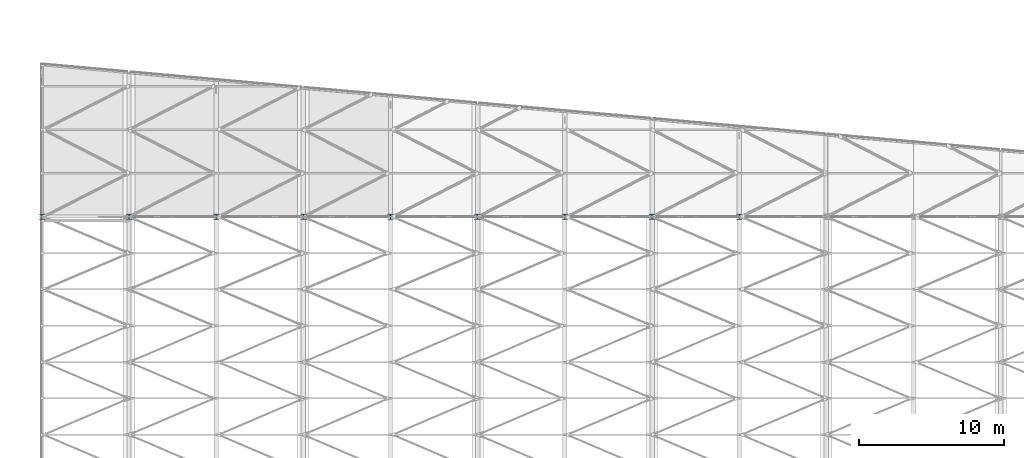
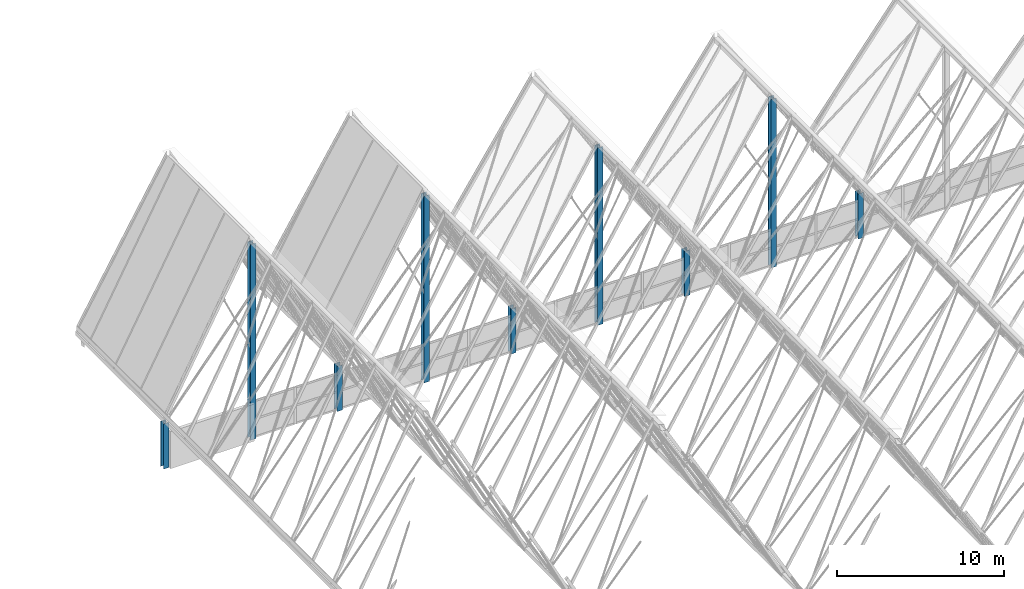
# One storey, part 3 of 483: 9 columns.
"""IFC4 building model written with IfcOpenShell, lengths in metres."""

from ifc_helpers import new_model, si_unit, direction, frame, origin, origin_2d, place, context, subcontext, project, spatial, i_section, extrude, material, material_profile, profile_set, type_object, element, save


model = new_model("IFC4")

# Units and contexts
model_context = context("Model", 3, precision=1e-05, world=origin(), true_north=direction((0.0, 1.0)))
body_context = subcontext(model_context, "Body", "Model", "MODEL_VIEW")
ifc_project = project(units=[si_unit("LENGTHUNIT", "METRE"), si_unit("AREAUNIT", "SQUARE_METRE"), si_unit("VOLUMEUNIT", "CUBIC_METRE"), si_unit("PLANEANGLEUNIT", "RADIAN"), si_unit("MASSUNIT", "GRAM", prefix="KILO")], contexts=[model_context])

# Site, building, storey
site_placement = place(None, origin())
site = spatial("IfcSite", under=ifc_project, at=site_placement, CompositionType="ELEMENT")
building_placement = place(site_placement, origin())
building = spatial("IfcBuilding", under=site, at=building_placement, Name="Parallax Yard Mobility Hub", CompositionType="ELEMENT")
storey_placement = place(building_placement, frame((0.0, 0.0, 13.199951171875)))
storey = spatial("IfcBuildingStorey", under=building, at=storey_placement, Name="L04", CompositionType="ELEMENT", Elevation=13.199951171875)

# Columns
ifc_material = material(Name="Steel ASTM A992", Category="steel")
ifc_material_profile = material_profile(ifc_material, i_section(OverallWidth=0.373046875, OverallDepth=0.367919921875, WebThickness=0.014892578125, FlangeThickness=0.02392578125, FilletRadius=0.01513671875, at=origin_2d()), Name="W360x179")
ifc_profile_set = profile_set([ifc_material_profile], Name="Steel ASTM A992")
column_type = type_object("IfcColumnType", Name="W360x179 column", PredefinedType="COLUMN", material=ifc_profile_set)
column_1_placement = place(storey_placement, frame((9.0, 52.5, 0.0), z_axis=(0.0, 0.0, 1.0), x_axis=(1.0, 0.0, 0.0)))
element("IfcColumn", 1, at=column_1_placement, inside=storey, type_object=column_type, Name="Valley column F1 north level L04", PredefinedType="COLUMN", context=body_context, shape_type="SweptSolid", body=[
    extrude(i_section(OverallWidth=0.373046875, OverallDepth=0.367919921875, WebThickness=0.014892578125, FlangeThickness=0.02392578125, FilletRadius=0.01513671875, at=origin_2d()), origin(), (0.0, 0.0, 1.0), 3.300048828125),
])
column_2_placement = place(storey_placement, frame((15.0, 52.5, 0.0), z_axis=(0.0, 0.0, 1.0), x_axis=(1.0, 0.0, 0.0)))
element("IfcColumn", 2, at=column_2_placement, inside=storey, type_object=column_type, Name="Ridge column F2 north level L04", PredefinedType="COLUMN", context=body_context, shape_type="SweptSolid", body=[
    extrude(i_section(OverallWidth=0.373046875, OverallDepth=0.367919921875, WebThickness=0.014892578125, FlangeThickness=0.02392578125, FilletRadius=0.01513671875, at=origin_2d()), origin(), (0.0, 0.0, 1.0), 14.300048828125),
])
column_3_placement = place(storey_placement, frame((21.0, 52.5, 0.0), z_axis=(0.0, 0.0, 1.0), x_axis=(1.0, 0.0, 0.0)))
element("IfcColumn", 3, at=column_3_placement, inside=storey, type_object=column_type, Name="Valley column F3 north level L04", PredefinedType="COLUMN", context=body_context, shape_type="SweptSolid", body=[
    extrude(i_section(OverallWidth=0.373046875, OverallDepth=0.367919921875, WebThickness=0.014892578125, FlangeThickness=0.02392578125, FilletRadius=0.01513671875, at=origin_2d()), origin(), (0.0, 0.0, 1.0), 3.300048828125),
])
column_4_placement = place(storey_placement, frame((27.0, 52.5, 0.0), z_axis=(0.0, 0.0, 1.0), x_axis=(1.0, 0.0, 0.0)))
element("IfcColumn", 4, at=column_4_placement, inside=storey, type_object=column_type, Name="Ridge column F4 north level L04", PredefinedType="COLUMN", context=body_context, shape_type="SweptSolid", body=[
    extrude(i_section(OverallWidth=0.373046875, OverallDepth=0.367919921875, WebThickness=0.014892578125, FlangeThickness=0.02392578125, FilletRadius=0.01513671875, at=origin_2d()), origin(), (0.0, 0.0, 1.0), 13.633056640625),
])
column_5_placement = place(storey_placement, frame((33.0, 52.5, 0.0), z_axis=(0.0, 0.0, 1.0), x_axis=(1.0, 0.0, 0.0)))
element("IfcColumn", 5, at=column_5_placement, inside=storey, type_object=column_type, Name="Valley column F5 north level L04", PredefinedType="COLUMN", context=body_context, shape_type="SweptSolid", body=[
    extrude(i_section(OverallWidth=0.373046875, OverallDepth=0.367919921875, WebThickness=0.014892578125, FlangeThickness=0.02392578125, FilletRadius=0.01513671875, at=origin_2d()), origin(), (0.0, 0.0, 1.0), 3.300048828125),
])
column_6_placement = place(storey_placement, frame((39.0, 52.5, 0.0), z_axis=(0.0, 0.0, 1.0), x_axis=(1.0, 0.0, 0.0)))
element("IfcColumn", 6, at=column_6_placement, inside=storey, type_object=column_type, Name="Ridge column F6 north level L04", PredefinedType="COLUMN", context=body_context, shape_type="SweptSolid", body=[
    extrude(i_section(OverallWidth=0.373046875, OverallDepth=0.367919921875, WebThickness=0.014892578125, FlangeThickness=0.02392578125, FilletRadius=0.01513671875, at=origin_2d()), origin(), (0.0, 0.0, 1.0), 12.967041015625),
])
column_7_placement = place(storey_placement, frame((45.0, 52.5, 0.0), z_axis=(0.0, 0.0, 1.0), x_axis=(1.0, 0.0, 0.0)))
element("IfcColumn", 7, at=column_7_placement, inside=storey, type_object=column_type, Name="Valley column F7 north level L04", PredefinedType="COLUMN", context=body_context, shape_type="SweptSolid", body=[
    extrude(i_section(OverallWidth=0.373046875, OverallDepth=0.367919921875, WebThickness=0.014892578125, FlangeThickness=0.02392578125, FilletRadius=0.01513671875, at=origin_2d()), origin(), (0.0, 0.0, 1.0), 3.300048828125),
])
column_8_placement = place(storey_placement, frame((51.0, 52.5, 0.0), z_axis=(0.0, 0.0, 1.0), x_axis=(1.0, 0.0, 0.0)))
element("IfcColumn", 8, at=column_8_placement, inside=storey, type_object=column_type, Name="Ridge column F8 north level L04", PredefinedType="COLUMN", context=body_context, shape_type="SweptSolid", body=[
    extrude(i_section(OverallWidth=0.373046875, OverallDepth=0.367919921875, WebThickness=0.014892578125, FlangeThickness=0.02392578125, FilletRadius=0.01513671875, at=origin_2d()), origin(), (0.0, 0.0, 1.0), 12.300048828125),
])
column_9_placement = place(storey_placement, frame((57.0, 52.5, 0.0), z_axis=(0.0, 0.0, 1.0), x_axis=(1.0, 0.0, 0.0)))
element("IfcColumn", 9, at=column_9_placement, inside=storey, type_object=column_type, Name="Valley column F9 north level L04", PredefinedType="COLUMN", context=body_context, shape_type="SweptSolid", body=[
    extrude(i_section(OverallWidth=0.373046875, OverallDepth=0.367919921875, WebThickness=0.014892578125, FlangeThickness=0.02392578125, FilletRadius=0.01513671875, at=origin_2d()), origin(), (0.0, 0.0, 1.0), 3.300048828125),
])

save(model, "model.ifc")
